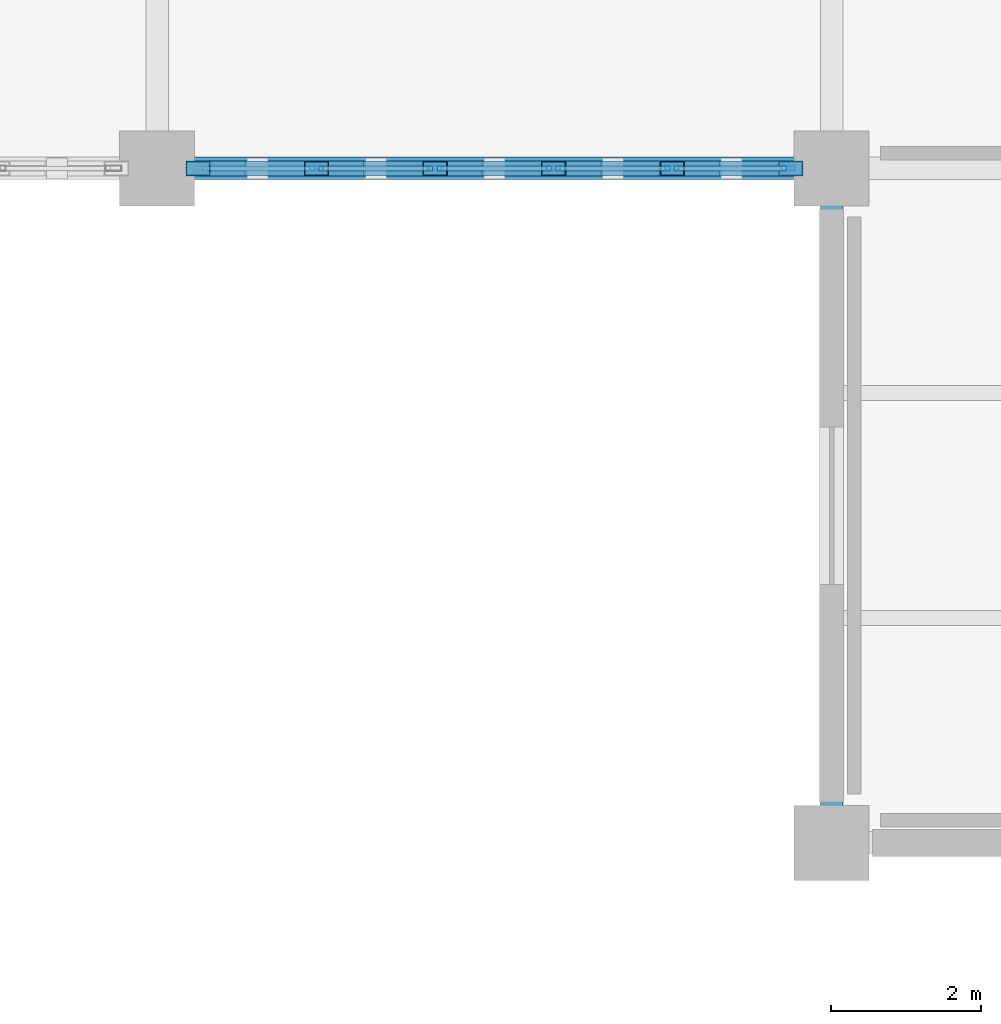
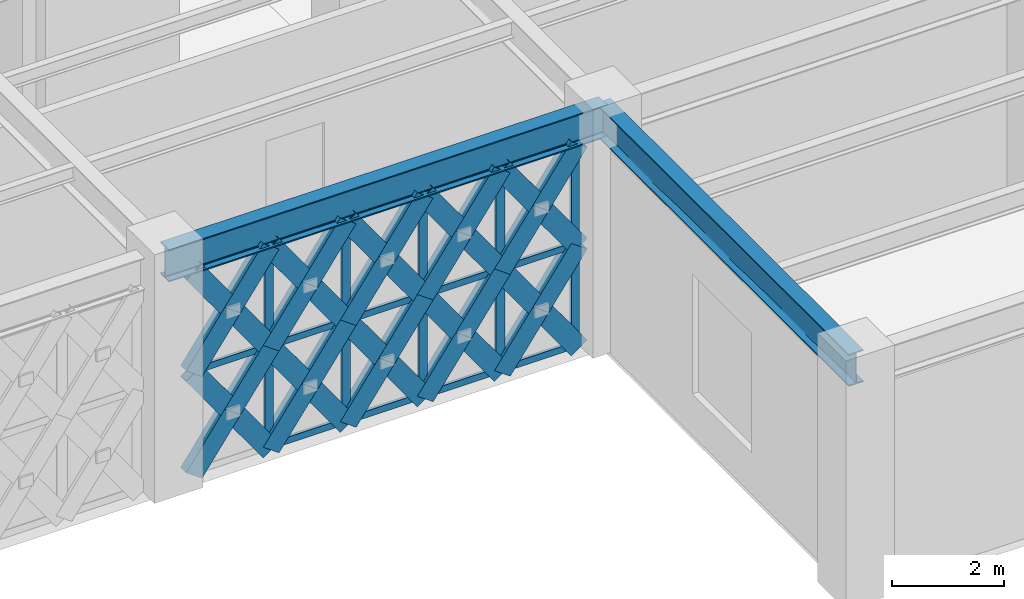
# One storey, part 9 of 140: 49 members, 2 beams, 1 element without a shape of its own.
"""IFC4 building model written with IfcOpenShell, lengths in metres."""

from ifc_helpers import new_model, si_unit, direction, frame, origin, origin_2d, place, context, subcontext, project, spatial, hollow_rectangle, i_section, extrude, material, material_profile, profile_set, type_object, element, aggregate, save


model = new_model("IFC4")

# Units and contexts
model_context = context("Model", 3, precision=1e-05, world=origin(), true_north=direction((0.0, 1.0)))
body_context = subcontext(model_context, "Body", "Model", "MODEL_VIEW")
ifc_project = project(units=[si_unit("LENGTHUNIT", "METRE"), si_unit("AREAUNIT", "SQUARE_METRE"), si_unit("VOLUMEUNIT", "CUBIC_METRE"), si_unit("PLANEANGLEUNIT", "RADIAN"), si_unit("MASSUNIT", "GRAM", prefix="KILO")], contexts=[model_context])

# Site, building, storey
site_placement = place(None, origin())
site = spatial("IfcSite", under=ifc_project, at=site_placement, CompositionType="ELEMENT")
building_placement = place(site_placement, origin())
building = spatial("IfcBuilding", under=site, at=building_placement, Name="Haizhuo Lancet Aquarium", CompositionType="ELEMENT")
storey_placement = place(building_placement, origin())
storey = spatial("IfcBuildingStorey", under=building, at=storey_placement, Name="L00", CompositionType="ELEMENT", Elevation=0.0)

# Beams
ifc_material_1 = material(Name="Steel S355", Category="steel")
ifc_material_profile_1 = material_profile(ifc_material_1, i_section(OverallWidth=0.300048828125, OverallDepth=0.699951171875, WebThickness=0.012939453125, FlangeThickness=0.02392578125, FilletRadius=0.02587890625, at=origin_2d()), Name="HN 700x300x13x24")
ifc_profile_set_1 = profile_set([ifc_material_profile_1], Name="Steel S355")
beam_type = type_object("IfcBeamType", Name="BM-ST-HN700", PredefinedType="BEAM", material=ifc_profile_set_1)
for number, where, z_axis, x_axis, name in (
    (1, (-63.0, -27.0, 4.77001953125), (1.0, 0.0, 0.0), (0.0, 1.0, 0.0), "L00 V6 primary girder BM-L00-V6-010"),
    (2, (-54.0, -36.0, 4.77001953125), (0.0, 1.0, 0.0), (-1.0, 0.0, 0.0), "L00 V6 primary girder BM-L00-V6-014"),
):
    element("IfcBeam", number, at=place(storey_placement, frame(where, z_axis=z_axis, x_axis=x_axis)), inside=storey, type_object=beam_type, Name=name, PredefinedType="BEAM", context=body_context, shape_type="SweptSolid", body=[
        extrude(i_section(OverallWidth=0.300048828125, OverallDepth=0.699951171875, WebThickness=0.012939453125, FlangeThickness=0.02392578125, FilletRadius=0.02587890625, at=origin_2d()), origin(), (0.0, 0.0, 1.0), 9.0),
    ])

# Curtain wall, members
ifc_material_2 = material(Name="Aluminium 6063-T6", Category="aluminium")
curtain_wall_type = type_object("IfcCurtainWallType", Name="CWD-7910x4420", PredefinedType="NOTDEFINED", material=ifc_material_2)
curtain_wall_placement = place(storey_placement, origin())
curtain_wall = element("IfcCurtainWall", 3, at=curtain_wall_placement, inside=storey, type_object=curtain_wall_type, Name="L00 curtain wall CW-V6-L00-199", PredefinedType="NOTDEFINED")
ifc_material_profile_2 = material_profile(ifc_material_2, hollow_rectangle(XDim=0.06494140625, YDim=0.179931640625, WallThickness=0.00390625, at=origin_2d()), Name="ALU-M 65x180x4")
ifc_profile_set_2 = profile_set([ifc_material_profile_2], Name="Aluminium 6063-T6")
member_type_1 = type_object("IfcMemberType", Name="CW-MUL-1", PredefinedType="MULLION", material=ifc_profile_set_2)
member_1_placement = place(storey_placement, frame((-54.577880859375, -27.0, 0.0), z_axis=(0.0, 0.0, 1.0), x_axis=(0.0, -1.0, 0.0)))
member_1 = element("IfcMember", 4, at=member_1_placement, type_object=member_type_1, Name="CWD-79x44 mullion 1", PredefinedType="MULLION", context=body_context, shape_type="SweptSolid", body=[
    extrude(hollow_rectangle(XDim=0.06494140625, YDim=0.179931640625, WallThickness=0.00390625, at=origin_2d()), origin(), (0.0, 0.0, 1.0), 4.419921875),
])
member_2_placement = place(storey_placement, frame((-56.126953125, -27.0, 0.0), z_axis=(0.0, 0.0, 1.0), x_axis=(0.0, -1.0, 0.0)))
member_2 = element("IfcMember", 5, at=member_2_placement, type_object=member_type_1, Name="CWD-79x44 mullion 2", PredefinedType="MULLION", context=body_context, shape_type="SweptSolid", body=[
    extrude(hollow_rectangle(XDim=0.06494140625, YDim=0.179931640625, WallThickness=0.00390625, at=origin_2d()), origin(), (0.0, 0.0, 1.0), 4.419921875),
])
member_3_placement = place(storey_placement, frame((-57.708984375, -27.0, 0.0), z_axis=(0.0, 0.0, 1.0), x_axis=(0.0, -1.0, 0.0)))
member_3 = element("IfcMember", 6, at=member_3_placement, type_object=member_type_1, Name="CWD-79x44 mullion 3", PredefinedType="MULLION", context=body_context, shape_type="SweptSolid", body=[
    extrude(hollow_rectangle(XDim=0.06494140625, YDim=0.179931640625, WallThickness=0.00390625, at=origin_2d()), origin(), (0.0, 0.0, 1.0), 4.419921875),
])
member_4_placement = place(storey_placement, frame((-59.291015625, -27.0, 0.0), z_axis=(0.0, 0.0, 1.0), x_axis=(0.0, -1.0, 0.0)))
member_4 = element("IfcMember", 7, at=member_4_placement, type_object=member_type_1, Name="CWD-79x44 mullion 4", PredefinedType="MULLION", context=body_context, shape_type="SweptSolid", body=[
    extrude(hollow_rectangle(XDim=0.06494140625, YDim=0.179931640625, WallThickness=0.00390625, at=origin_2d()), origin(), (0.0, 0.0, 1.0), 4.419921875),
])
member_5_placement = place(storey_placement, frame((-60.873046875, -27.0, 0.0), z_axis=(0.0, 0.0, 1.0), x_axis=(0.0, -1.0, 0.0)))
member_5 = element("IfcMember", 8, at=member_5_placement, type_object=member_type_1, Name="CWD-79x44 mullion 5", PredefinedType="MULLION", context=body_context, shape_type="SweptSolid", body=[
    extrude(hollow_rectangle(XDim=0.06494140625, YDim=0.179931640625, WallThickness=0.00390625, at=origin_2d()), origin(), (0.0, 0.0, 1.0), 4.419921875),
])
ifc_material_profile_3 = material_profile(ifc_material_2, hollow_rectangle(XDim=0.06494140625, YDim=0.139892578125, WallThickness=0.00390625, at=origin_2d()), Name="ALU-T 65x140x4")
ifc_profile_set_3 = profile_set([ifc_material_profile_3], Name="Aluminium 6063-T6")
member_type_2 = type_object("IfcMemberType", Name="CW-TRN-1", PredefinedType="NOTDEFINED", material=ifc_profile_set_3)
member_6_placement = place(storey_placement, frame((-54.610107421875, -27.0, 0.032958984375), z_axis=(-1.0, 0.0, 0.0), x_axis=(0.0, -1.0, 0.0)))
member_6 = element("IfcMember", 9, at=member_6_placement, type_object=member_type_2, Name="CWD-79x44 transom 1.1", ObjectType="TRANSOM", PredefinedType="USERDEFINED", context=body_context, shape_type="SweptSolid", body=[
    extrude(hollow_rectangle(XDim=0.06494140625, YDim=0.139892578125, WallThickness=0.00390625, at=origin_2d()), origin(), (0.0, 0.0, 1.0), 1.48486328125),
])
member_7_placement = place(storey_placement, frame((-54.610107421875, -27.0, 2.2099609375), z_axis=(-1.0, 0.0, 0.0), x_axis=(0.0, -1.0, 0.0)))
member_7 = element("IfcMember", 10, at=member_7_placement, type_object=member_type_2, Name="CWD-79x44 transom 1.2", ObjectType="TRANSOM", PredefinedType="USERDEFINED", context=body_context, shape_type="SweptSolid", body=[
    extrude(hollow_rectangle(XDim=0.06494140625, YDim=0.139892578125, WallThickness=0.00390625, at=origin_2d()), origin(), (0.0, 0.0, 1.0), 1.48486328125),
])
member_8_placement = place(storey_placement, frame((-54.610107421875, -27.0, 4.387939453125), z_axis=(-1.0, 0.0, 0.0), x_axis=(0.0, -1.0, 0.0)))
member_8 = element("IfcMember", 11, at=member_8_placement, type_object=member_type_2, Name="CWD-79x44 transom 1.3", ObjectType="TRANSOM", PredefinedType="USERDEFINED", context=body_context, shape_type="SweptSolid", body=[
    extrude(hollow_rectangle(XDim=0.06494140625, YDim=0.139892578125, WallThickness=0.00390625, at=origin_2d()), origin(), (0.0, 0.0, 1.0), 1.48486328125),
])
member_9_placement = place(storey_placement, frame((-56.159912109375, -27.0, 0.032958984375), z_axis=(-1.0, 0.0, 0.0), x_axis=(0.0, -1.0, 0.0)))
member_9 = element("IfcMember", 12, at=member_9_placement, type_object=member_type_2, Name="CWD-79x44 transom 2.1", ObjectType="TRANSOM", PredefinedType="USERDEFINED", context=body_context, shape_type="SweptSolid", body=[
    extrude(hollow_rectangle(XDim=0.06494140625, YDim=0.139892578125, WallThickness=0.00390625, at=origin_2d()), origin(), (0.0, 0.0, 1.0), 1.51611328125),
])
member_10_placement = place(storey_placement, frame((-56.159912109375, -27.0, 2.2099609375), z_axis=(-1.0, 0.0, 0.0), x_axis=(0.0, -1.0, 0.0)))
member_10 = element("IfcMember", 13, at=member_10_placement, type_object=member_type_2, Name="CWD-79x44 transom 2.2", ObjectType="TRANSOM", PredefinedType="USERDEFINED", context=body_context, shape_type="SweptSolid", body=[
    extrude(hollow_rectangle(XDim=0.06494140625, YDim=0.139892578125, WallThickness=0.00390625, at=origin_2d()), origin(), (0.0, 0.0, 1.0), 1.51611328125),
])
member_11_placement = place(storey_placement, frame((-56.159912109375, -27.0, 4.387939453125), z_axis=(-1.0, 0.0, 0.0), x_axis=(0.0, -1.0, 0.0)))
member_11 = element("IfcMember", 14, at=member_11_placement, type_object=member_type_2, Name="CWD-79x44 transom 2.3", ObjectType="TRANSOM", PredefinedType="USERDEFINED", context=body_context, shape_type="SweptSolid", body=[
    extrude(hollow_rectangle(XDim=0.06494140625, YDim=0.139892578125, WallThickness=0.00390625, at=origin_2d()), origin(), (0.0, 0.0, 1.0), 1.51611328125),
])
member_12_placement = place(storey_placement, frame((-57.741943359375, -27.0, 0.032958984375), z_axis=(-1.0, 0.0, 0.0), x_axis=(0.0, -1.0, 0.0)))
member_12 = element("IfcMember", 15, at=member_12_placement, type_object=member_type_2, Name="CWD-79x44 transom 3.1", ObjectType="TRANSOM", PredefinedType="USERDEFINED", context=body_context, shape_type="SweptSolid", body=[
    extrude(hollow_rectangle(XDim=0.06494140625, YDim=0.139892578125, WallThickness=0.00390625, at=origin_2d()), origin(), (0.0, 0.0, 1.0), 1.51611328125),
])
member_13_placement = place(storey_placement, frame((-57.741943359375, -27.0, 2.2099609375), z_axis=(-1.0, 0.0, 0.0), x_axis=(0.0, -1.0, 0.0)))
member_13 = element("IfcMember", 16, at=member_13_placement, type_object=member_type_2, Name="CWD-79x44 transom 3.2", ObjectType="TRANSOM", PredefinedType="USERDEFINED", context=body_context, shape_type="SweptSolid", body=[
    extrude(hollow_rectangle(XDim=0.06494140625, YDim=0.139892578125, WallThickness=0.00390625, at=origin_2d()), origin(), (0.0, 0.0, 1.0), 1.51611328125),
])
member_14_placement = place(storey_placement, frame((-57.741943359375, -27.0, 4.387939453125), z_axis=(-1.0, 0.0, 0.0), x_axis=(0.0, -1.0, 0.0)))
member_14 = element("IfcMember", 17, at=member_14_placement, type_object=member_type_2, Name="CWD-79x44 transom 3.3", ObjectType="TRANSOM", PredefinedType="USERDEFINED", context=body_context, shape_type="SweptSolid", body=[
    extrude(hollow_rectangle(XDim=0.06494140625, YDim=0.139892578125, WallThickness=0.00390625, at=origin_2d()), origin(), (0.0, 0.0, 1.0), 1.51611328125),
])
member_15_placement = place(storey_placement, frame((-59.323974609375, -27.0, 0.032958984375), z_axis=(-1.0, 0.0, 0.0), x_axis=(0.0, -1.0, 0.0)))
member_15 = element("IfcMember", 18, at=member_15_placement, type_object=member_type_2, Name="CWD-79x44 transom 4.1", ObjectType="TRANSOM", PredefinedType="USERDEFINED", context=body_context, shape_type="SweptSolid", body=[
    extrude(hollow_rectangle(XDim=0.06494140625, YDim=0.139892578125, WallThickness=0.00390625, at=origin_2d()), origin(), (0.0, 0.0, 1.0), 1.51611328125),
])
member_16_placement = place(storey_placement, frame((-59.323974609375, -27.0, 2.2099609375), z_axis=(-1.0, 0.0, 0.0), x_axis=(0.0, -1.0, 0.0)))
member_16 = element("IfcMember", 19, at=member_16_placement, type_object=member_type_2, Name="CWD-79x44 transom 4.2", ObjectType="TRANSOM", PredefinedType="USERDEFINED", context=body_context, shape_type="SweptSolid", body=[
    extrude(hollow_rectangle(XDim=0.06494140625, YDim=0.139892578125, WallThickness=0.00390625, at=origin_2d()), origin(), (0.0, 0.0, 1.0), 1.51611328125),
])
member_17_placement = place(storey_placement, frame((-59.323974609375, -27.0, 4.387939453125), z_axis=(-1.0, 0.0, 0.0), x_axis=(0.0, -1.0, 0.0)))
member_17 = element("IfcMember", 20, at=member_17_placement, type_object=member_type_2, Name="CWD-79x44 transom 4.3", ObjectType="TRANSOM", PredefinedType="USERDEFINED", context=body_context, shape_type="SweptSolid", body=[
    extrude(hollow_rectangle(XDim=0.06494140625, YDim=0.139892578125, WallThickness=0.00390625, at=origin_2d()), origin(), (0.0, 0.0, 1.0), 1.51611328125),
])
member_18_placement = place(storey_placement, frame((-60.905029296875, -27.0, 2.2099609375), z_axis=(-1.0, 0.0, 0.0), x_axis=(0.0, -1.0, 0.0)))
member_18 = element("IfcMember", 21, at=member_18_placement, type_object=member_type_2, Name="CWD-79x44 transom 5.2", ObjectType="TRANSOM", PredefinedType="USERDEFINED", context=body_context, shape_type="SweptSolid", body=[
    extrude(hollow_rectangle(XDim=0.06494140625, YDim=0.139892578125, WallThickness=0.00390625, at=origin_2d()), origin(), (0.0, 0.0, 1.0), 1.48486328125),
])
member_19_placement = place(storey_placement, frame((-60.905029296875, -27.0, 4.387939453125), z_axis=(-1.0, 0.0, 0.0), x_axis=(0.0, -1.0, 0.0)))
member_19 = element("IfcMember", 22, at=member_19_placement, type_object=member_type_2, Name="CWD-79x44 transom 5.3", ObjectType="TRANSOM", PredefinedType="USERDEFINED", context=body_context, shape_type="SweptSolid", body=[
    extrude(hollow_rectangle(XDim=0.06494140625, YDim=0.139892578125, WallThickness=0.00390625, at=origin_2d()), origin(), (0.0, 0.0, 1.0), 1.48486328125),
])
aggregate(curtain_wall, [member_1, member_2, member_3, member_4, member_5, member_6, member_7, member_8, member_9, member_10, member_11, member_12, member_13, member_14, member_15, member_16, member_17, member_18, member_19])

# Members
ifc_material_profile_4 = material_profile(ifc_material_1, hollow_rectangle(XDim=0.199951171875, YDim=0.39990234375, WallThickness=0.011962890625, at=origin_2d()), Name="RHS 200x400x12")
ifc_profile_set_4 = profile_set([ifc_material_profile_4], Name="Steel S355")
member_type_3 = type_object("IfcMemberType", Name="MEM-LB-RHS200x400", PredefinedType="BRACE", material=ifc_profile_set_4)
member_20_placement = place(storey_placement, frame((-54.544921875, -27.0, 0.0), z_axis=(-0.582087604305, 0.0, 0.813126079347), x_axis=(0.0, -1.0, 0.0)))
element("IfcMember", 23, at=member_20_placement, inside=storey, type_object=member_type_3, Name="Gothic lancet continuous diagonal brace CW-V6-L00-199 1A", PredefinedType="BRACE", context=body_context, shape_type="SweptSolid", body=[
    extrude(hollow_rectangle(XDim=0.199951171875, YDim=0.39990234375, WallThickness=0.011962890625, at=origin_2d()), origin(), (0.0, 0.0, 1.0), 2.7177734375),
])
for number, where, z_axis, x_axis, name in (
    (24, (-56.126953125, -27.0, 0.0), (0.582087604305, 0.0, 0.813126079347), (0.0, 1.0, 0.0), "Gothic lancet split diagonal brace CW-V6-L00-199 1B1"),
    (25, (-55.3359375, -27.0, 1.10498046875), (0.582087604305, 0.0, 0.813126079347), (0.0, 1.0, 0.0), "Gothic lancet split diagonal brace CW-V6-L00-199 1B2"),
):
    element("IfcMember", number, at=place(storey_placement, frame(where, z_axis=z_axis, x_axis=x_axis)), inside=storey, type_object=member_type_3, Name=name, PredefinedType="BRACE", context=body_context, shape_type="SweptSolid", body=[
        extrude(hollow_rectangle(XDim=0.199951171875, YDim=0.39990234375, WallThickness=0.011962890625, at=origin_2d()), origin(), (0.0, 0.0, 1.0), 1.35888671875),
    ])
member_21_placement = place(storey_placement, frame((-54.544921875, -27.0, 2.2099609375), z_axis=(-0.582087604305, 0.0, 0.813126079347), x_axis=(0.0, -1.0, 0.0)))
element("IfcMember", 26, at=member_21_placement, inside=storey, type_object=member_type_3, Name="Gothic lancet continuous diagonal brace CW-V6-L00-199 2A", PredefinedType="BRACE", context=body_context, shape_type="SweptSolid", body=[
    extrude(hollow_rectangle(XDim=0.199951171875, YDim=0.39990234375, WallThickness=0.011962890625, at=origin_2d()), origin(), (0.0, 0.0, 1.0), 2.7177734375),
])
for number, where, z_axis, x_axis, name in (
    (27, (-56.126953125, -27.0, 2.2099609375), (0.582087604305, 0.0, 0.813126079347), (0.0, 1.0, 0.0), "Gothic lancet split diagonal brace CW-V6-L00-199 2B1"),
    (28, (-55.3359375, -27.0, 3.31494140625), (0.582087604305, 0.0, 0.813126079347), (0.0, 1.0, 0.0), "Gothic lancet split diagonal brace CW-V6-L00-199 2B2"),
):
    element("IfcMember", number, at=place(storey_placement, frame(where, z_axis=z_axis, x_axis=x_axis)), inside=storey, type_object=member_type_3, Name=name, PredefinedType="BRACE", context=body_context, shape_type="SweptSolid", body=[
        extrude(hollow_rectangle(XDim=0.199951171875, YDim=0.39990234375, WallThickness=0.011962890625, at=origin_2d()), origin(), (0.0, 0.0, 1.0), 1.35888671875),
    ])
member_22_placement = place(storey_placement, frame((-56.126953125, -27.0, 0.0), z_axis=(-0.582087604305, 0.0, 0.813126079347), x_axis=(0.0, -1.0, 0.0)))
element("IfcMember", 29, at=member_22_placement, inside=storey, type_object=member_type_3, Name="Gothic lancet continuous diagonal brace CW-V6-L00-199 3A", PredefinedType="BRACE", context=body_context, shape_type="SweptSolid", body=[
    extrude(hollow_rectangle(XDim=0.199951171875, YDim=0.39990234375, WallThickness=0.011962890625, at=origin_2d()), origin(), (0.0, 0.0, 1.0), 2.7177734375),
])
for number, where, z_axis, x_axis, name in (
    (30, (-57.708984375, -27.0, 0.0), (0.582087604305, 0.0, 0.813126079347), (0.0, 1.0, 0.0), "Gothic lancet split diagonal brace CW-V6-L00-199 3B1"),
    (31, (-56.91796875, -27.0, 1.10498046875), (0.582087604305, 0.0, 0.813126079347), (0.0, 1.0, 0.0), "Gothic lancet split diagonal brace CW-V6-L00-199 3B2"),
):
    element("IfcMember", number, at=place(storey_placement, frame(where, z_axis=z_axis, x_axis=x_axis)), inside=storey, type_object=member_type_3, Name=name, PredefinedType="BRACE", context=body_context, shape_type="SweptSolid", body=[
        extrude(hollow_rectangle(XDim=0.199951171875, YDim=0.39990234375, WallThickness=0.011962890625, at=origin_2d()), origin(), (0.0, 0.0, 1.0), 1.35888671875),
    ])
member_23_placement = place(storey_placement, frame((-56.126953125, -27.0, 2.2099609375), z_axis=(-0.582087604305, 0.0, 0.813126079347), x_axis=(0.0, -1.0, 0.0)))
element("IfcMember", 32, at=member_23_placement, inside=storey, type_object=member_type_3, Name="Gothic lancet continuous diagonal brace CW-V6-L00-199 4A", PredefinedType="BRACE", context=body_context, shape_type="SweptSolid", body=[
    extrude(hollow_rectangle(XDim=0.199951171875, YDim=0.39990234375, WallThickness=0.011962890625, at=origin_2d()), origin(), (0.0, 0.0, 1.0), 2.7177734375),
])
for number, where, z_axis, x_axis, name in (
    (33, (-57.708984375, -27.0, 2.2099609375), (0.582087604305, 0.0, 0.813126079347), (0.0, 1.0, 0.0), "Gothic lancet split diagonal brace CW-V6-L00-199 4B1"),
    (34, (-56.91796875, -27.0, 3.31494140625), (0.582087604305, 0.0, 0.813126079347), (0.0, 1.0, 0.0), "Gothic lancet split diagonal brace CW-V6-L00-199 4B2"),
):
    element("IfcMember", number, at=place(storey_placement, frame(where, z_axis=z_axis, x_axis=x_axis)), inside=storey, type_object=member_type_3, Name=name, PredefinedType="BRACE", context=body_context, shape_type="SweptSolid", body=[
        extrude(hollow_rectangle(XDim=0.199951171875, YDim=0.39990234375, WallThickness=0.011962890625, at=origin_2d()), origin(), (0.0, 0.0, 1.0), 1.35888671875),
    ])
member_24_placement = place(storey_placement, frame((-57.708984375, -27.0, 0.0), z_axis=(-0.582087604305, 0.0, 0.813126079347), x_axis=(0.0, -1.0, 0.0)))
element("IfcMember", 35, at=member_24_placement, inside=storey, type_object=member_type_3, Name="Gothic lancet continuous diagonal brace CW-V6-L00-199 5A", PredefinedType="BRACE", context=body_context, shape_type="SweptSolid", body=[
    extrude(hollow_rectangle(XDim=0.199951171875, YDim=0.39990234375, WallThickness=0.011962890625, at=origin_2d()), origin(), (0.0, 0.0, 1.0), 2.7177734375),
])
for number, where, z_axis, x_axis, name in (
    (36, (-59.291015625, -27.0, 0.0), (0.582087604305, 0.0, 0.813126079347), (0.0, 1.0, 0.0), "Gothic lancet split diagonal brace CW-V6-L00-199 5B1"),
    (37, (-58.5, -27.0, 1.10498046875), (0.582087604305, 0.0, 0.813126079347), (0.0, 1.0, 0.0), "Gothic lancet split diagonal brace CW-V6-L00-199 5B2"),
):
    element("IfcMember", number, at=place(storey_placement, frame(where, z_axis=z_axis, x_axis=x_axis)), inside=storey, type_object=member_type_3, Name=name, PredefinedType="BRACE", context=body_context, shape_type="SweptSolid", body=[
        extrude(hollow_rectangle(XDim=0.199951171875, YDim=0.39990234375, WallThickness=0.011962890625, at=origin_2d()), origin(), (0.0, 0.0, 1.0), 1.35888671875),
    ])
member_25_placement = place(storey_placement, frame((-57.708984375, -27.0, 2.2099609375), z_axis=(-0.582087604305, 0.0, 0.813126079347), x_axis=(0.0, -1.0, 0.0)))
element("IfcMember", 38, at=member_25_placement, inside=storey, type_object=member_type_3, Name="Gothic lancet continuous diagonal brace CW-V6-L00-199 6A", PredefinedType="BRACE", context=body_context, shape_type="SweptSolid", body=[
    extrude(hollow_rectangle(XDim=0.199951171875, YDim=0.39990234375, WallThickness=0.011962890625, at=origin_2d()), origin(), (0.0, 0.0, 1.0), 2.7177734375),
])
for number, where, z_axis, x_axis, name in (
    (39, (-59.291015625, -27.0, 2.2099609375), (0.582087604305, 0.0, 0.813126079347), (0.0, 1.0, 0.0), "Gothic lancet split diagonal brace CW-V6-L00-199 6B1"),
    (40, (-58.5, -27.0, 3.31494140625), (0.582087604305, 0.0, 0.813126079347), (0.0, 1.0, 0.0), "Gothic lancet split diagonal brace CW-V6-L00-199 6B2"),
):
    element("IfcMember", number, at=place(storey_placement, frame(where, z_axis=z_axis, x_axis=x_axis)), inside=storey, type_object=member_type_3, Name=name, PredefinedType="BRACE", context=body_context, shape_type="SweptSolid", body=[
        extrude(hollow_rectangle(XDim=0.199951171875, YDim=0.39990234375, WallThickness=0.011962890625, at=origin_2d()), origin(), (0.0, 0.0, 1.0), 1.35888671875),
    ])
member_26_placement = place(storey_placement, frame((-59.291015625, -27.0, 0.0), z_axis=(-0.582087604305, 0.0, 0.813126079347), x_axis=(0.0, -1.0, 0.0)))
element("IfcMember", 41, at=member_26_placement, inside=storey, type_object=member_type_3, Name="Gothic lancet continuous diagonal brace CW-V6-L00-199 7A", PredefinedType="BRACE", context=body_context, shape_type="SweptSolid", body=[
    extrude(hollow_rectangle(XDim=0.199951171875, YDim=0.39990234375, WallThickness=0.011962890625, at=origin_2d()), origin(), (0.0, 0.0, 1.0), 2.7177734375),
])
for number, where, z_axis, x_axis, name in (
    (42, (-60.873046875, -27.0, 0.0), (0.582087604305, 0.0, 0.813126079347), (0.0, 1.0, 0.0), "Gothic lancet split diagonal brace CW-V6-L00-199 7B1"),
    (43, (-60.08203125, -27.0, 1.10498046875), (0.582087604305, 0.0, 0.813126079347), (0.0, 1.0, 0.0), "Gothic lancet split diagonal brace CW-V6-L00-199 7B2"),
):
    element("IfcMember", number, at=place(storey_placement, frame(where, z_axis=z_axis, x_axis=x_axis)), inside=storey, type_object=member_type_3, Name=name, PredefinedType="BRACE", context=body_context, shape_type="SweptSolid", body=[
        extrude(hollow_rectangle(XDim=0.199951171875, YDim=0.39990234375, WallThickness=0.011962890625, at=origin_2d()), origin(), (0.0, 0.0, 1.0), 1.35888671875),
    ])
member_27_placement = place(storey_placement, frame((-59.291015625, -27.0, 2.2099609375), z_axis=(-0.582087604305, 0.0, 0.813126079347), x_axis=(0.0, -1.0, 0.0)))
element("IfcMember", 44, at=member_27_placement, inside=storey, type_object=member_type_3, Name="Gothic lancet continuous diagonal brace CW-V6-L00-199 8A", PredefinedType="BRACE", context=body_context, shape_type="SweptSolid", body=[
    extrude(hollow_rectangle(XDim=0.199951171875, YDim=0.39990234375, WallThickness=0.011962890625, at=origin_2d()), origin(), (0.0, 0.0, 1.0), 2.7177734375),
])
for number, where, z_axis, x_axis, name in (
    (45, (-60.873046875, -27.0, 2.2099609375), (0.582087604305, 0.0, 0.813126079347), (0.0, 1.0, 0.0), "Gothic lancet split diagonal brace CW-V6-L00-199 8B1"),
    (46, (-60.08203125, -27.0, 3.31494140625), (0.582087604305, 0.0, 0.813126079347), (0.0, 1.0, 0.0), "Gothic lancet split diagonal brace CW-V6-L00-199 8B2"),
):
    element("IfcMember", number, at=place(storey_placement, frame(where, z_axis=z_axis, x_axis=x_axis)), inside=storey, type_object=member_type_3, Name=name, PredefinedType="BRACE", context=body_context, shape_type="SweptSolid", body=[
        extrude(hollow_rectangle(XDim=0.199951171875, YDim=0.39990234375, WallThickness=0.011962890625, at=origin_2d()), origin(), (0.0, 0.0, 1.0), 1.35888671875),
    ])
member_28_placement = place(storey_placement, frame((-60.873046875, -27.0, 0.0), z_axis=(-0.582087604305, 0.0, 0.813126079347), x_axis=(0.0, -1.0, 0.0)))
element("IfcMember", 47, at=member_28_placement, inside=storey, type_object=member_type_3, Name="Gothic lancet continuous diagonal brace CW-V6-L00-199 9A", PredefinedType="BRACE", context=body_context, shape_type="SweptSolid", body=[
    extrude(hollow_rectangle(XDim=0.199951171875, YDim=0.39990234375, WallThickness=0.011962890625, at=origin_2d()), origin(), (0.0, 0.0, 1.0), 2.7177734375),
])
for number, where, z_axis, x_axis, name in (
    (48, (-62.455078125, -27.0, 0.0), (0.582087604305, 0.0, 0.813126079347), (0.0, 1.0, 0.0), "Gothic lancet split diagonal brace CW-V6-L00-199 9B1"),
    (49, (-61.6640625, -27.0, 1.10498046875), (0.582087604305, 0.0, 0.813126079347), (0.0, 1.0, 0.0), "Gothic lancet split diagonal brace CW-V6-L00-199 9B2"),
):
    element("IfcMember", number, at=place(storey_placement, frame(where, z_axis=z_axis, x_axis=x_axis)), inside=storey, type_object=member_type_3, Name=name, PredefinedType="BRACE", context=body_context, shape_type="SweptSolid", body=[
        extrude(hollow_rectangle(XDim=0.199951171875, YDim=0.39990234375, WallThickness=0.011962890625, at=origin_2d()), origin(), (0.0, 0.0, 1.0), 1.35888671875),
    ])
member_29_placement = place(storey_placement, frame((-60.873046875, -27.0, 2.2099609375), z_axis=(-0.582087604305, 0.0, 0.813126079347), x_axis=(0.0, -1.0, 0.0)))
element("IfcMember", 50, at=member_29_placement, inside=storey, type_object=member_type_3, Name="Gothic lancet continuous diagonal brace CW-V6-L00-199 10A", PredefinedType="BRACE", context=body_context, shape_type="SweptSolid", body=[
    extrude(hollow_rectangle(XDim=0.199951171875, YDim=0.39990234375, WallThickness=0.011962890625, at=origin_2d()), origin(), (0.0, 0.0, 1.0), 2.7177734375),
])
for number, where, z_axis, x_axis, name in (
    (51, (-62.455078125, -27.0, 2.2099609375), (0.582087604305, 0.0, 0.813126079347), (0.0, 1.0, 0.0), "Gothic lancet split diagonal brace CW-V6-L00-199 10B1"),
    (52, (-61.6640625, -27.0, 3.31494140625), (0.582087604305, 0.0, 0.813126079347), (0.0, 1.0, 0.0), "Gothic lancet split diagonal brace CW-V6-L00-199 10B2"),
):
    element("IfcMember", number, at=place(storey_placement, frame(where, z_axis=z_axis, x_axis=x_axis)), inside=storey, type_object=member_type_3, Name=name, PredefinedType="BRACE", context=body_context, shape_type="SweptSolid", body=[
        extrude(hollow_rectangle(XDim=0.199951171875, YDim=0.39990234375, WallThickness=0.011962890625, at=origin_2d()), origin(), (0.0, 0.0, 1.0), 1.35888671875),
    ])

save(model, "model.ifc")
